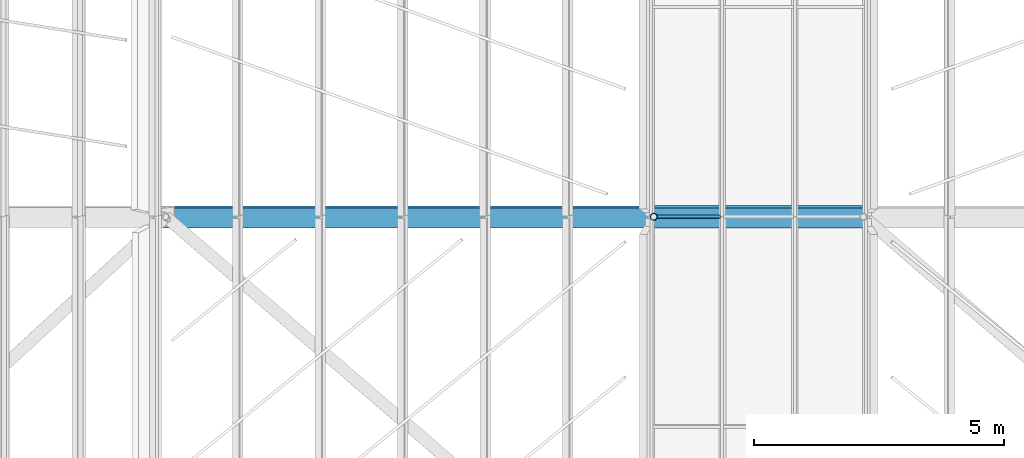
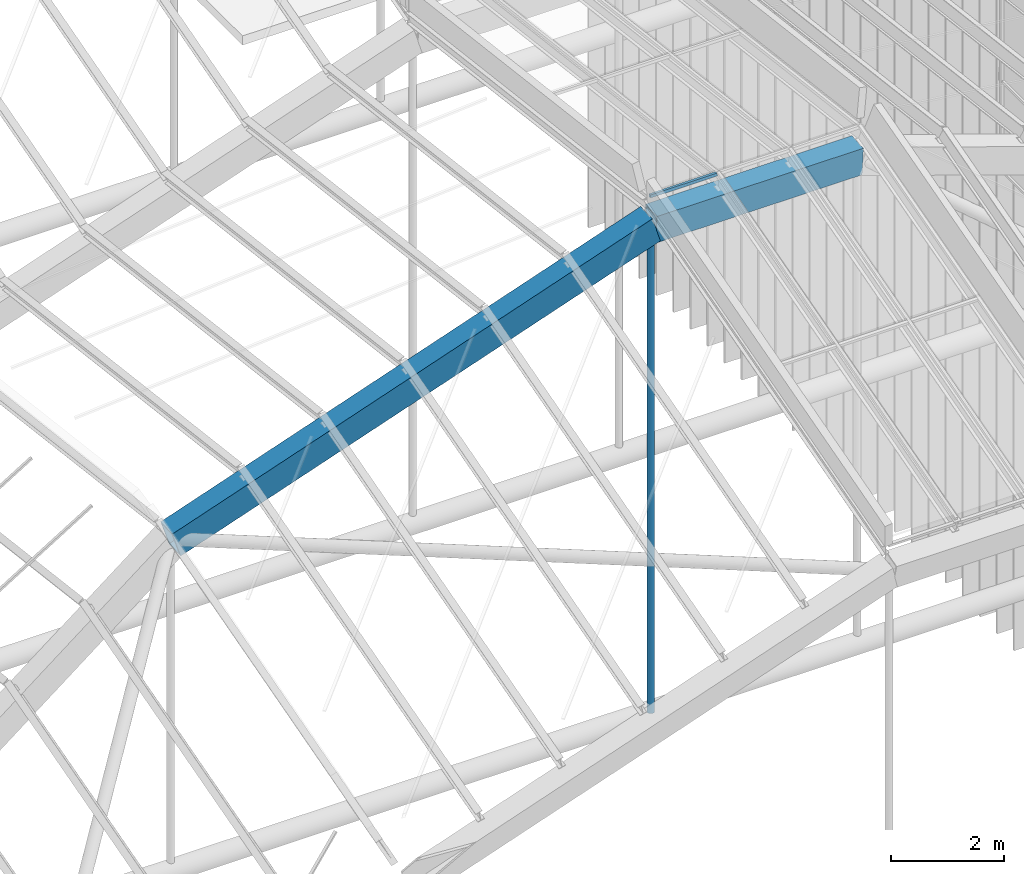
# One storey, part 22 of 126: 2 beams, 2 members.
"""IFC4 building model written with IfcOpenShell, lengths in metres."""

from ifc_helpers import new_model, si_unit, direction, frame, origin, origin_2d, place, context, subcontext, project, spatial, polyline, rectangle, hollow_circle, outline, extrude, material, material_profile, profile_set, type_object, element, save


model = new_model("IFC4")

# Units and contexts
model_context = context("Model", 3, precision=1e-05, world=origin(), true_north=direction((0.0, 1.0)))
body_context = subcontext(model_context, "Body", "Model", "MODEL_VIEW")
ifc_project = project(units=[si_unit("LENGTHUNIT", "METRE"), si_unit("AREAUNIT", "SQUARE_METRE"), si_unit("VOLUMEUNIT", "CUBIC_METRE"), si_unit("PLANEANGLEUNIT", "RADIAN"), si_unit("MASSUNIT", "GRAM", prefix="KILO")], contexts=[model_context])

# Site, building, storey
site_placement = place(None, origin())
site = spatial("IfcSite", under=ifc_project, at=site_placement, CompositionType="ELEMENT")
building_placement = place(site_placement, origin())
building = spatial("IfcBuilding", under=site, at=building_placement, Name="Sava Quay Ferry Terminal", CompositionType="ELEMENT")
storey_placement = place(building_placement, frame((0.0, 0.0, 15.0)))
storey = spatial("IfcBuildingStorey", under=building, at=storey_placement, Name="L03", CompositionType="ELEMENT", Elevation=15.0)

# Beams
ifc_material_1 = material(Name="Steel S355", Category="steel")
ifc_material_profile_1 = material_profile(ifc_material_1, outline(polyline([(-0.199951171875, -0.300048828125), (0.199951171875, -0.300048828125), (0.199951171875, 0.300048828125), (-0.199951171875, 0.300048828125), (-0.199951171875, -0.300048828125)]), holes=[polyline([(-0.175048828125, -0.27490234375), (-0.175048828125, 0.27490234375), (0.175048828125, 0.27490234375), (0.175048828125, -0.27490234375), (-0.175048828125, -0.27490234375)])]), Name="Box 600x400x25 built-up")
ifc_profile_set_1 = profile_set([ifc_material_profile_1], Name="Steel S355")
beam_type = type_object("IfcBeamType", Name="D folded rib Box 600x400x25", PredefinedType="BEAM", material=ifc_profile_set_1)
beam_1_placement = place(storey_placement, frame((51.1298828125, 58.800048828125, 17.89013671875), z_axis=(0.945520775213, 0.0, 0.325561766247), x_axis=(-0.02317123021, 0.997463981395, 0.06729561583)))
element("IfcBeam", 1, at=beam_1_placement, inside=storey, type_object=beam_type, Name="Departure hall folded rib R1 seg 2", PredefinedType="BEAM", context=body_context, shape_type="SweptSolid", body=[
    extrude(outline(polyline([(-0.199951171875, -0.300048828125), (0.199951171875, -0.300048828125), (0.199951171875, 0.300048828125), (-0.199951171875, 0.300048828125), (-0.199951171875, -0.300048828125)]), holes=[polyline([(-0.175048828125, -0.27490234375), (-0.175048828125, 0.27490234375), (0.175048828125, 0.27490234375), (0.175048828125, -0.27490234375), (-0.175048828125, -0.27490234375)])]), origin(), (0.0, 0.0, 1.0), 10.3330078125),
])
beam_2_placement = place(storey_placement, frame((60.89990234375, 58.800048828125, 21.254150390625), z_axis=(1.0, 0.0, 0.0), x_axis=(0.0, 0.997187837043, 0.074942762518)))
element("IfcBeam", 2, at=beam_2_placement, inside=storey, type_object=beam_type, Name="Departure hall folded rib R1 seg 3", PredefinedType="BEAM", context=body_context, shape_type="SweptSolid", body=[
    extrude(outline(polyline([(-0.199951171875, -0.300048828125), (0.199951171875, -0.300048828125), (0.199951171875, 0.300048828125), (-0.199951171875, 0.300048828125), (-0.199951171875, -0.300048828125)]), holes=[polyline([(-0.175048828125, -0.27490234375), (-0.175048828125, 0.27490234375), (0.175048828125, 0.27490234375), (0.175048828125, -0.27490234375), (-0.175048828125, -0.27490234375)])]), origin(), (0.0, 0.0, 1.0), 4.2001953125),
])

# Members
ifc_material_2 = material(Name="Aluminium EN AW-6063 T6", Category="aluminium")
ifc_material_profile_2 = material_profile(ifc_material_2, rectangle(XDim=0.06005859375, YDim=0.06005859375, at=origin_2d()), Name="Bar 60 x 60")
ifc_profile_set_2 = profile_set([ifc_material_profile_2], Name="Aluminium EN AW-6063 T6")
member_type_1 = type_object("IfcMemberType", Name="Glazing bar 60x60", PredefinedType="USERDEFINED", material=ifc_profile_set_2)
member_1_placement = place(storey_placement, frame((60.8798828125, 58.800048828125, 21.85595703125), z_axis=(1.0, 0.0, 0.0), x_axis=(0.0, 0.992379325118, -0.123220432876)))
element("IfcMember", 3, at=member_1_placement, inside=storey, type_object=member_type_1, Name="Departure hall glazing bar D-R1-GT2.0", ObjectType="GLAZING BAR", PredefinedType="USERDEFINED", context=body_context, shape_type="SweptSolid", body=[
    extrude(rectangle(XDim=0.06005859375, YDim=0.06005859375, at=origin_2d()), origin(), (0.0, 0.0, 1.0), 1.356689453125),
])
ifc_material_3 = material(Name="Steel S355", Category="steel")
ifc_material_profile_3 = material_profile(ifc_material_3, hollow_circle(Radius=0.06982421875, WallThickness=0.008056640625, at=origin_2d()), Name="CHS 139.7 x 8.0")
ifc_profile_set_3 = profile_set([ifc_material_profile_3], Name="Steel S355")
member_type_2 = type_object("IfcMemberType", Name="Tie hanger CHS 139.7x8", PredefinedType="USERDEFINED", material=ifc_profile_set_3)
member_2_placement = place(storey_placement, frame((60.89990234375, 58.800048828125, 10.757080078125), z_axis=(0.0, 0.0, 1.0), x_axis=(1.0, 0.0, 0.0)))
element("IfcMember", 4, at=member_2_placement, inside=storey, type_object=member_type_2, Name="Departure hall tie hanger R1 V2", ObjectType="TIE HANGER", PredefinedType="USERDEFINED", context=body_context, shape_type="SweptSolid", body=[
    extrude(hollow_circle(Radius=0.06982421875, WallThickness=0.008056640625, at=origin_2d()), origin(), (0.0, 0.0, 1.0), 10.4970703125),
])

save(model, "model.ifc")
